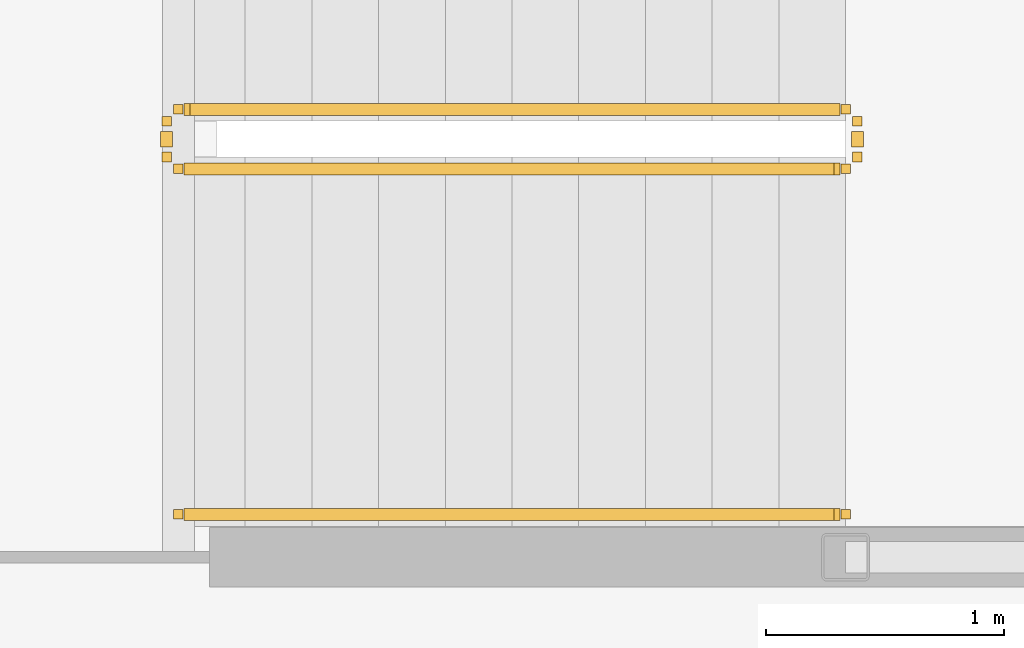
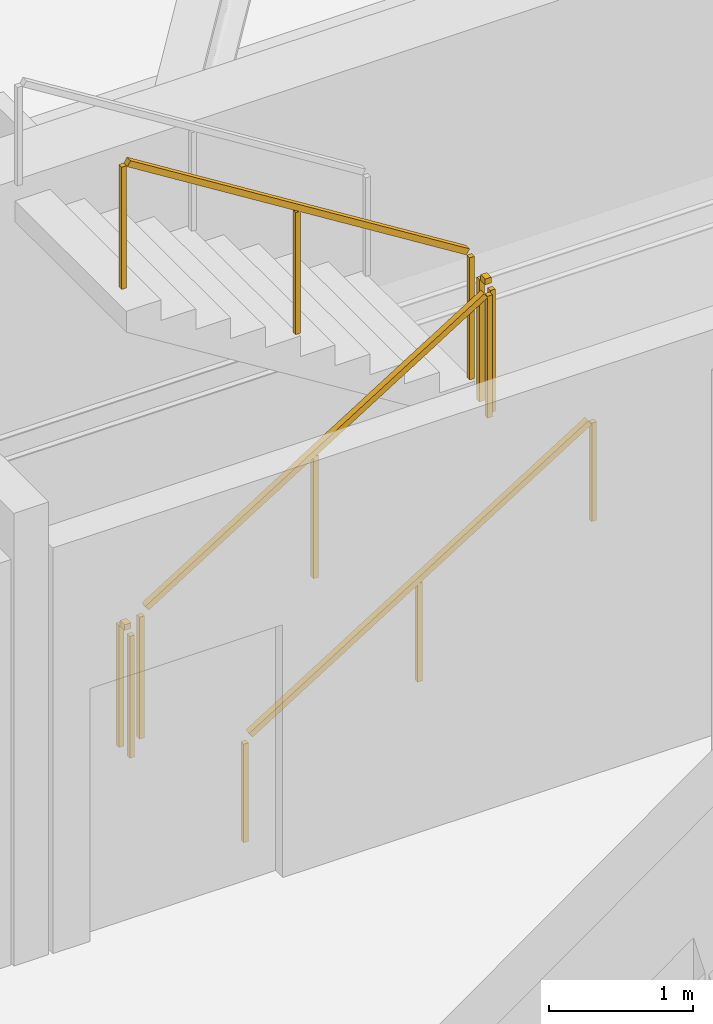
# One storey, part 23 of 24: 5 railings.
"""IFC4 building model written with IfcOpenShell, lengths in metres."""

from ifc_helpers import new_model, si_unit, direction, frame, origin, origin_2d, place, context, subcontext, project, spatial, rectangle, extrude, material, type_object, element, save


model = new_model("IFC4")

# Units and contexts
model_context = context("Model", 3, precision=1e-05, world=origin(), true_north=direction((0.0, 1.0)))
body_context = subcontext(model_context, "Body", "Model", "MODEL_VIEW")
ifc_project = project(units=[si_unit("LENGTHUNIT", "METRE"), si_unit("AREAUNIT", "SQUARE_METRE"), si_unit("VOLUMEUNIT", "CUBIC_METRE"), si_unit("PLANEANGLEUNIT", "RADIAN"), si_unit("MASSUNIT", "GRAM", prefix="KILO")], contexts=[model_context])

# Site, building, storey
site_placement = place(None, origin())
site = spatial("IfcSite", under=ifc_project, at=site_placement, CompositionType="ELEMENT")
building_placement = place(site_placement, origin())
building = spatial("IfcBuilding", under=site, at=building_placement, Name="Kazma Halo Residences", CompositionType="ELEMENT")
storey_placement = place(building_placement, frame((0.0, 0.0, 309.85009765625)))
storey = spatial("IfcBuildingStorey", under=building, at=storey_placement, Name="L78", CompositionType="ELEMENT", Elevation=309.85009765625)

# Railings
ifc_material_1 = material(Name="Painted Steel S355", Category="steel")
railing_type_1 = type_object("IfcRailingType", Name="RLG-STAIR-GRD-1100", PredefinedType="GUARDRAIL", material=ifc_material_1)
railing_1_placement = place(storey_placement, frame((53.199951171875, 48.25, 0.1748046875)))
element("IfcRailing", 1, at=railing_1_placement, inside=storey, type_object=railing_type_1, Name="L78 ST-02 stair guard 1", PredefinedType="GUARDRAIL", context=body_context, shape_type="SweptSolid", body=[
    extrude(rectangle(XDim=0.050048828125, YDim=0.050048828125, at=origin_2d()), frame((0.0361328125, 0.0, 1.09765625), z_axis=(0.848002457836, 0.0, 0.529992293815), x_axis=(0.0, 1.0, 0.0)), (0.0, 0.0, 1.0), 3.216796875),
    extrude(rectangle(XDim=0.0400390625, YDim=0.0400390625, at=origin_2d()), origin(), (0.0, 0.0, 1.0), 1.0380859375),
    extrude(rectangle(XDim=0.0400390625, YDim=0.0400390625, at=origin_2d()), frame((1.39990234375, 0.0, 0.875)), (0.0, 0.0, 1.0), 1.0380859375),
    extrude(rectangle(XDim=0.0400390625, YDim=0.0400390625, at=origin_2d()), frame((2.800048828125, 0.0, 1.75)), (0.0, 0.0, 1.0), 1.0380859375),
])
railing_2_placement = place(storey_placement, frame((56.050048828125, 48.300048828125, 1.9248046875)))
element("IfcRailing", 2, at=railing_2_placement, inside=storey, type_object=railing_type_1, Name="L78 ST-02 stair guard 2", PredefinedType="GUARDRAIL", context=body_context, shape_type="SweptSolid", body=[
    extrude(rectangle(XDim=0.050048828125, YDim=0.050048828125, at=origin_2d()), frame((0.0, 0.04248046875, 1.0751953125), z_axis=(0.0, 1.0, 0.0), x_axis=(-1.0, 0.0, 0.0)), (0.0, 0.0, 1.0), 0.06494140625),
    extrude(rectangle(XDim=0.0400390625, YDim=0.0400390625, at=origin_2d()), origin(), (0.0, 0.0, 1.0), 1.0380859375),
    extrude(rectangle(XDim=0.0400390625, YDim=0.0400390625, at=origin_2d()), frame((0.0, 0.14990234375, 0.0)), (0.0, 0.0, 1.0), 1.0380859375),
])
railing_3_placement = place(storey_placement, frame((56.0, 48.5, 2.099853515625)))
element("IfcRailing", 3, at=railing_3_placement, inside=storey, type_object=railing_type_1, Name="L78 ST-02 stair guard 3", PredefinedType="GUARDRAIL", context=body_context, shape_type="SweptSolid", body=[
    extrude(rectangle(XDim=0.050048828125, YDim=0.050048828125, at=origin_2d()), frame((-0.0361328125, 0.0, 1.09765625), z_axis=(-0.848002457836, 0.0, 0.529992293815), x_axis=(0.0, -1.0, 0.0)), (0.0, 0.0, 1.0), 3.216796875),
    extrude(rectangle(XDim=0.0400390625, YDim=0.0400390625, at=origin_2d()), origin(), (0.0, 0.0, 1.0), 1.0380859375),
    extrude(rectangle(XDim=0.0400390625, YDim=0.0400390625, at=origin_2d()), frame((-1.39990234375, 0.0, 0.875)), (0.0, 0.0, 1.0), 1.0380859375),
    extrude(rectangle(XDim=0.0400390625, YDim=0.0400390625, at=origin_2d()), frame((-2.800048828125, 0.0, 1.75)), (0.0, 0.0, 1.0), 1.0380859375),
])
railing_4_placement = place(storey_placement, frame((53.14990234375, 48.300048828125, 0.0)))
element("IfcRailing", 4, at=railing_4_placement, inside=storey, type_object=railing_type_1, Name="L78 ST-02 stair guard 4", PredefinedType="GUARDRAIL", context=body_context, shape_type="SweptSolid", body=[
    extrude(rectangle(XDim=0.050048828125, YDim=0.050048828125, at=origin_2d()), frame((0.0, 0.04248046875, 1.0751953125), z_axis=(0.0, 1.0, 0.0), x_axis=(-1.0, 0.0, 0.0)), (0.0, 0.0, 1.0), 0.06494140625),
    extrude(rectangle(XDim=0.0400390625, YDim=0.0400390625, at=origin_2d()), origin(), (0.0, 0.0, 1.0), 1.0380859375),
    extrude(rectangle(XDim=0.0400390625, YDim=0.0400390625, at=origin_2d()), frame((0.0, 0.14990234375, 0.0)), (0.0, 0.0, 1.0), 1.0380859375),
])
ifc_material_2 = material(Name="Brushed Stainless Steel", Category="steel")
railing_type_2 = type_object("IfcRailingType", Name="RLG-STAIR-HND-900", PredefinedType="HANDRAIL", material=ifc_material_2)
railing_5_placement = place(storey_placement, frame((53.199951171875, 46.800048828125, 0.1748046875)))
element("IfcRailing", 5, at=railing_5_placement, inside=storey, type_object=railing_type_2, Name="L78 ST-02 stair handrail 1", PredefinedType="HANDRAIL", context=body_context, shape_type="SweptSolid", body=[
    extrude(rectangle(XDim=0.050048828125, YDim=0.050048828125, at=origin_2d()), frame((0.0361328125, 0.0, 0.8974609375), z_axis=(0.848002457836, 0.0, 0.529992293815), x_axis=(0.0, 1.0, 0.0)), (0.0, 0.0, 1.0), 3.216796875),
    extrude(rectangle(XDim=0.0400390625, YDim=0.0400390625, at=origin_2d()), origin(), (0.0, 0.0, 1.0), 0.837890625),
    extrude(rectangle(XDim=0.0400390625, YDim=0.0400390625, at=origin_2d()), frame((1.39990234375, 0.0, 0.875)), (0.0, 0.0, 1.0), 0.837890625),
    extrude(rectangle(XDim=0.0400390625, YDim=0.0400390625, at=origin_2d()), frame((2.800048828125, 0.0, 1.75)), (0.0, 0.0, 1.0), 0.837890625),
])

save(model, "model.ifc")
